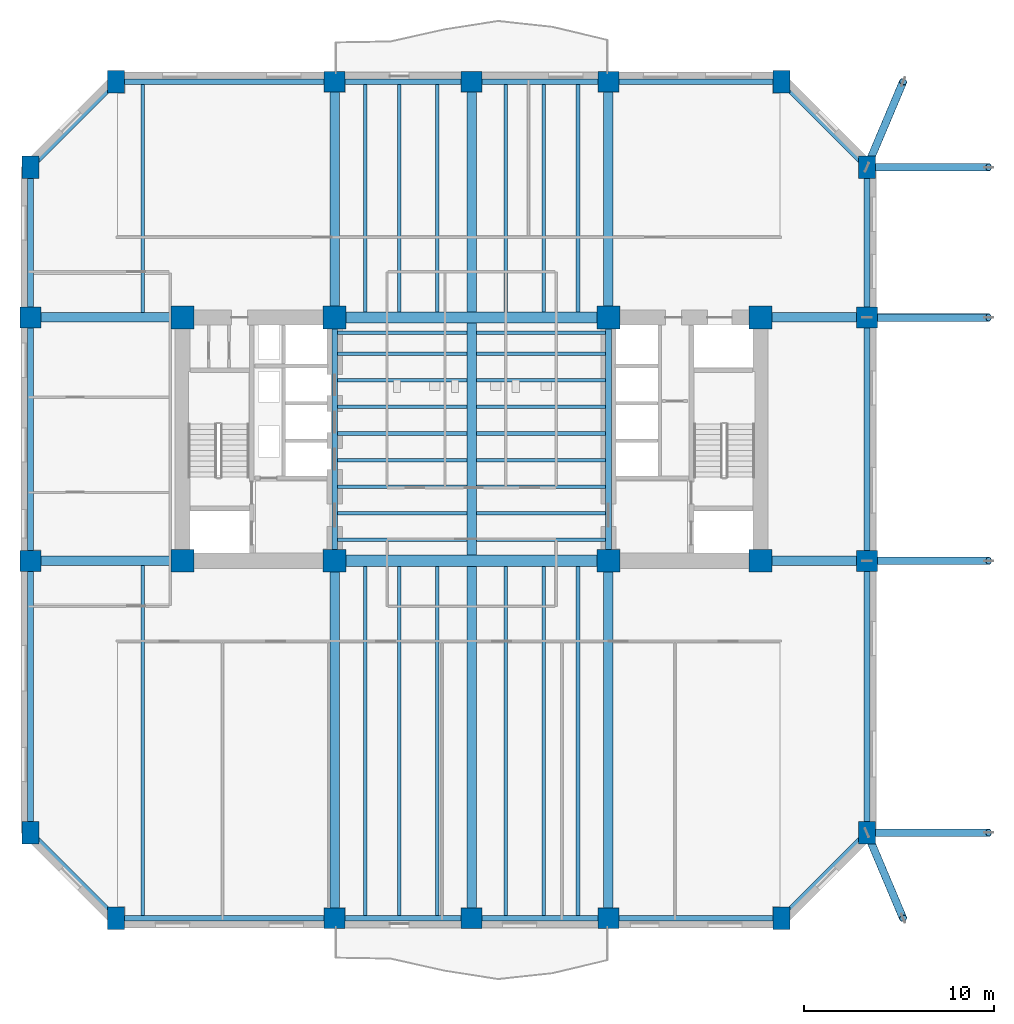
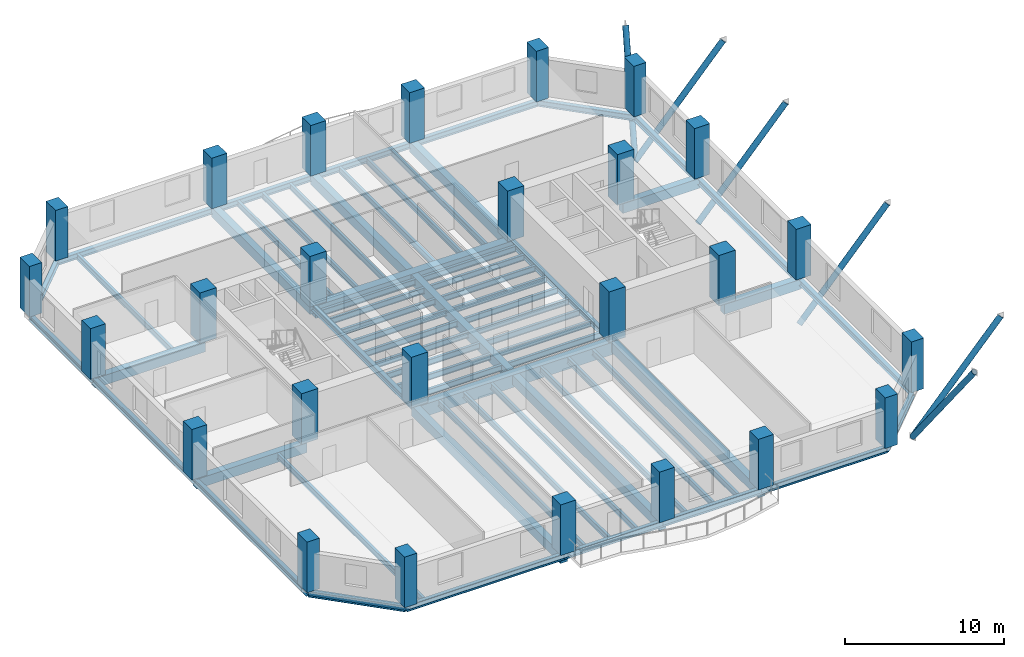
# One storey, part 1 of 13: 65 beams, 26 columns, 6 members.
"""IFC4 building model written with IfcOpenShell, lengths in metres."""

from ifc_helpers import new_model, si_unit, direction, frame, origin, origin_2d, place, context, subcontext, project, spatial, rectangle, hollow_circle, i_section, extrude, material, material_profile, profile_set, type_object, element, save


model = new_model("IFC4")

# Units and contexts
model_context = context("Model", 3, precision=1e-05, world=origin(), true_north=direction((0.0, 1.0)))
body_context = subcontext(model_context, "Body", "Model", "MODEL_VIEW")
ifc_project = project(units=[si_unit("LENGTHUNIT", "METRE"), si_unit("AREAUNIT", "SQUARE_METRE"), si_unit("VOLUMEUNIT", "CUBIC_METRE"), si_unit("PLANEANGLEUNIT", "RADIAN"), si_unit("MASSUNIT", "GRAM", prefix="KILO")], contexts=[model_context])

# Site, building, storey
site_placement = place(None, origin())
site = spatial("IfcSite", under=ifc_project, at=site_placement, CompositionType="ELEMENT")
building_placement = place(site_placement, origin())
building = spatial("IfcBuilding", under=site, at=building_placement, Name="Kranthara Brick Stack", CompositionType="ELEMENT")
storey_placement = place(building_placement, frame((0.0, 0.0, 43.800048828125)))
storey = spatial("IfcBuildingStorey", under=building, at=storey_placement, Name="L10", CompositionType="ELEMENT", Elevation=43.800048828125)

# Columns
ifc_material_1 = material(Name="Concrete C70/85", Category="concrete")
ifc_material_profile_1 = material_profile(ifc_material_1, rectangle(XDim=0.89990234375, YDim=1.199951171875, at=origin_2d()), Name="RC 900x1200")
ifc_profile_set_1 = profile_set([ifc_material_profile_1], Name="Concrete C70/85")
column_type_1 = type_object("IfcColumnType", Name="COL-CHAM-900x1200", PredefinedType="COLUMN", material=ifc_profile_set_1)
for number, where, z_axis, x_axis, name in (
    (1, (9.300048828125, 2.0, 0.0), (0.0, 0.0, 1.0), (1.0, 0.0, 0.0), "L10 Column 09"),
    (2, (9.300048828125, 46.0, 0.0), (0.0, 0.0, 1.0), (1.0, 0.0, 0.0), "L10 Column 10"),
    (3, (44.300048828125, 2.0, 0.0), (0.0, 0.0, 1.0), (1.0, 0.0, 0.0), "L10 Column 17"),
    (4, (44.300048828125, 46.0, 0.0), (0.0, 0.0, 1.0), (1.0, 0.0, 0.0), "L10 Column 18"),
    (5, (4.800048828125, 6.5, 0.0), (0.0, 0.0, 1.0), (1.0, 0.0, 0.0), "L10 Column 19"),
    (6, (48.800048828125, 6.5, 0.0), (0.0, 0.0, 1.0), (1.0, 0.0, 0.0), "L10 Column 20"),
    (7, (4.800048828125, 41.5, 0.0), (0.0, 0.0, 1.0), (1.0, 0.0, 0.0), "L10 Column 25"),
    (8, (48.800048828125, 41.5, 0.0), (0.0, 0.0, 1.0), (1.0, 0.0, 0.0), "L10 Column 26"),
):
    element("IfcColumn", number, at=place(storey_placement, frame(where, z_axis=z_axis, x_axis=x_axis)), inside=storey, type_object=column_type_1, Name=name, PredefinedType="COLUMN", context=body_context, shape_type="SweptSolid", body=[
        extrude(rectangle(XDim=0.89990234375, YDim=1.199951171875, at=origin_2d()), origin(), (0.0, 0.0, 1.0), 3.89990234375),
    ])
ifc_material_2 = material(Name="Concrete C70/85", Category="concrete")
ifc_material_profile_2 = material_profile(ifc_material_2, rectangle(XDim=1.199951171875, YDim=1.199951171875, at=origin_2d()), Name="RC 1200x1200")
ifc_profile_set_2 = profile_set([ifc_material_profile_2], Name="Concrete C70/85")
column_type_2 = type_object("IfcColumnType", Name="COL-CORE-1200", PredefinedType="COLUMN", material=ifc_profile_set_2)
for number, where, z_axis, x_axis, name in (
    (9, (12.800048828125, 20.800048828125, 0.0), (0.0, 0.0, 1.0), (1.0, 0.0, 0.0), "L10 Column 01"),
    (10, (20.800048828125, 20.800048828125, 0.0), (0.0, 0.0, 1.0), (1.0, 0.0, 0.0), "L10 Column 02"),
    (11, (12.800048828125, 33.60009765625, 0.0), (0.0, 0.0, 1.0), (1.0, 0.0, 0.0), "L10 Column 03"),
    (12, (20.800048828125, 33.60009765625, 0.0), (0.0, 0.0, 1.0), (1.0, 0.0, 0.0), "L10 Column 04"),
    (13, (35.199951171875, 20.800048828125, 0.0), (0.0, 0.0, 1.0), (1.0, 0.0, 0.0), "L10 Column 05"),
    (14, (43.199951171875, 20.800048828125, 0.0), (0.0, 0.0, 1.0), (1.0, 0.0, 0.0), "L10 Column 06"),
    (15, (35.199951171875, 33.60009765625, 0.0), (0.0, 0.0, 1.0), (1.0, 0.0, 0.0), "L10 Column 07"),
    (16, (43.199951171875, 33.60009765625, 0.0), (0.0, 0.0, 1.0), (1.0, 0.0, 0.0), "L10 Column 08"),
):
    element("IfcColumn", number, at=place(storey_placement, frame(where, z_axis=z_axis, x_axis=x_axis)), inside=storey, type_object=column_type_2, Name=name, PredefinedType="COLUMN", context=body_context, shape_type="SweptSolid", body=[
        extrude(rectangle(XDim=1.199951171875, YDim=1.199951171875, at=origin_2d()), origin(), (0.0, 0.0, 1.0), 3.89990234375),
    ])
ifc_material_3 = material(Name="Concrete C70/85", Category="concrete")
ifc_material_profile_3 = material_profile(ifc_material_3, rectangle(XDim=1.10009765625, YDim=1.10009765625, at=origin_2d()), Name="RC 1100x1100")
ifc_profile_set_3 = profile_set([ifc_material_profile_3], Name="Concrete C70/85")
column_type_3 = type_object("IfcColumnType", Name="COL-PER-1100", PredefinedType="COLUMN", material=ifc_profile_set_3)
for number, where, z_axis, x_axis, name in (
    (17, (20.800048828125, 2.0, 0.0), (0.0, 0.0, 1.0), (1.0, 0.0, 0.0), "L10 Column 11"),
    (18, (20.800048828125, 46.0, 0.0), (0.0, 0.0, 1.0), (1.0, 0.0, 0.0), "L10 Column 12"),
    (19, (28.0, 2.0, 0.0), (0.0, 0.0, 1.0), (1.0, 0.0, 0.0), "L10 Column 13"),
    (20, (28.0, 46.0, 0.0), (0.0, 0.0, 1.0), (1.0, 0.0, 0.0), "L10 Column 14"),
    (21, (35.199951171875, 2.0, 0.0), (0.0, 0.0, 1.0), (1.0, 0.0, 0.0), "L10 Column 15"),
    (22, (35.199951171875, 46.0, 0.0), (0.0, 0.0, 1.0), (1.0, 0.0, 0.0), "L10 Column 16"),
    (23, (4.800048828125, 20.800048828125, 0.0), (0.0, 0.0, 1.0), (1.0, 0.0, 0.0), "L10 Column 21"),
    (24, (48.800048828125, 20.800048828125, 0.0), (0.0, 0.0, 1.0), (1.0, 0.0, 0.0), "L10 Column 22"),
    (25, (4.800048828125, 33.60009765625, 0.0), (0.0, 0.0, 1.0), (1.0, 0.0, 0.0), "L10 Column 23"),
    (26, (48.800048828125, 33.60009765625, 0.0), (0.0, 0.0, 1.0), (1.0, 0.0, 0.0), "L10 Column 24"),
):
    element("IfcColumn", number, at=place(storey_placement, frame(where, z_axis=z_axis, x_axis=x_axis)), inside=storey, type_object=column_type_3, Name=name, PredefinedType="COLUMN", context=body_context, shape_type="SweptSolid", body=[
        extrude(rectangle(XDim=1.10009765625, YDim=1.10009765625, at=origin_2d()), origin(), (0.0, 0.0, 1.0), 3.89990234375),
    ])

# Beams
ifc_material_4 = material(Name="Concrete C60/75", Category="concrete")
ifc_material_profile_4 = material_profile(ifc_material_4, rectangle(XDim=0.60009765625, YDim=0.949951171875, at=origin_2d()), Name="RC 600x950")
ifc_profile_set_4 = profile_set([ifc_material_profile_4], Name="Concrete C60/75")
beam_type_1 = type_object("IfcBeamType", Name="BM-CPL-RC950", PredefinedType="LINTEL", material=ifc_profile_set_4)
for number, where, z_axis, x_axis, name in (
    (27, (20.800048828125, 20.800048828125, -0.775146484375), (1.0, 0.0, 0.0), (0.0, 1.0, 0.0), "L10 Core Coupling Beam 001"),
    (28, (20.800048828125, 33.60009765625, -0.775146484375), (1.0, 0.0, 0.0), (0.0, 1.0, 0.0), "L10 Core Coupling Beam 002"),
):
    element("IfcBeam", number, at=place(storey_placement, frame(where, z_axis=z_axis, x_axis=x_axis)), inside=storey, type_object=beam_type_1, Name=name, PredefinedType="LINTEL", context=body_context, shape_type="SweptSolid", body=[
        extrude(rectangle(XDim=0.60009765625, YDim=0.949951171875, at=origin_2d()), origin(), (0.0, 0.0, 1.0), 14.39990234375),
    ])
ifc_material_5 = material(Name="Post-tensioned concrete C45/55", Category="concrete")
ifc_material_profile_5 = material_profile(ifc_material_5, rectangle(XDim=0.5, YDim=0.75, at=origin_2d()), Name="PT 500x750")
ifc_profile_set_5 = profile_set([ifc_material_profile_5], Name="Post-tensioned concrete C45/55")
beam_type_2 = type_object("IfcBeamType", Name="BM-FLR-PT750", PredefinedType="BEAM", material=ifc_profile_set_5)
beam_1_placement = place(storey_placement, frame((20.800048828125, 2.0, -0.675048828125), z_axis=(0.0, 1.0, 0.0), x_axis=(-1.0, 0.0, 0.0)))
element("IfcBeam", 29, at=beam_1_placement, inside=storey, type_object=beam_type_2, Name="L10 Primary Grid Girder 023", PredefinedType="BEAM", context=body_context, shape_type="SweptSolid", body=[
    extrude(rectangle(XDim=0.5, YDim=0.75, at=origin_2d()), origin(), (0.0, 0.0, 1.0), 18.800048828125),
])
beam_2_placement = place(storey_placement, frame((20.800048828125, 33.60009765625, -0.675048828125), z_axis=(0.0, 1.0, 0.0), x_axis=(-1.0, 0.0, 0.0)))
element("IfcBeam", 30, at=beam_2_placement, inside=storey, type_object=beam_type_2, Name="L10 Primary Grid Girder 024", PredefinedType="BEAM", context=body_context, shape_type="SweptSolid", body=[
    extrude(rectangle(XDim=0.5, YDim=0.75, at=origin_2d()), origin(), (0.0, 0.0, 1.0), 12.39990234375),
])
beam_3_placement = place(storey_placement, frame((28.0, 2.0, -0.675048828125), z_axis=(0.0, 1.0, 0.0), x_axis=(-1.0, 0.0, 0.0)))
element("IfcBeam", 31, at=beam_3_placement, inside=storey, type_object=beam_type_2, Name="L10 Primary Grid Girder 025", PredefinedType="BEAM", context=body_context, shape_type="SweptSolid", body=[
    extrude(rectangle(XDim=0.5, YDim=0.75, at=origin_2d()), origin(), (0.0, 0.0, 1.0), 18.5),
])
beam_4_placement = place(storey_placement, frame((28.0, 21.10009765625, -0.675048828125), z_axis=(0.0, 1.0, 0.0), x_axis=(-1.0, 0.0, 0.0)))
element("IfcBeam", 32, at=beam_4_placement, inside=storey, type_object=beam_type_2, Name="L10 Central Spine Girder 026", PredefinedType="BEAM", context=body_context, shape_type="SweptSolid", body=[
    extrude(rectangle(XDim=0.5, YDim=0.75, at=origin_2d()), origin(), (0.0, 0.0, 1.0), 12.199951171875),
])
beam_5_placement = place(storey_placement, frame((28.0, 33.89990234375, -0.675048828125), z_axis=(0.0, 1.0, 0.0), x_axis=(-1.0, 0.0, 0.0)))
element("IfcBeam", 33, at=beam_5_placement, inside=storey, type_object=beam_type_2, Name="L10 Primary Grid Girder 027", PredefinedType="BEAM", context=body_context, shape_type="SweptSolid", body=[
    extrude(rectangle(XDim=0.5, YDim=0.75, at=origin_2d()), origin(), (0.0, 0.0, 1.0), 12.10009765625),
])
beam_6_placement = place(storey_placement, frame((35.199951171875, 2.0, -0.675048828125), z_axis=(0.0, 1.0, 0.0), x_axis=(-1.0, 0.0, 0.0)))
element("IfcBeam", 34, at=beam_6_placement, inside=storey, type_object=beam_type_2, Name="L10 Primary Grid Girder 028", PredefinedType="BEAM", context=body_context, shape_type="SweptSolid", body=[
    extrude(rectangle(XDim=0.5, YDim=0.75, at=origin_2d()), origin(), (0.0, 0.0, 1.0), 18.800048828125),
])
beam_7_placement = place(storey_placement, frame((35.199951171875, 33.60009765625, -0.675048828125), z_axis=(0.0, 1.0, 0.0), x_axis=(-1.0, 0.0, 0.0)))
element("IfcBeam", 35, at=beam_7_placement, inside=storey, type_object=beam_type_2, Name="L10 Primary Grid Girder 029", PredefinedType="BEAM", context=body_context, shape_type="SweptSolid", body=[
    extrude(rectangle(XDim=0.5, YDim=0.75, at=origin_2d()), origin(), (0.0, 0.0, 1.0), 12.39990234375),
])
beam_8_placement = place(storey_placement, frame((4.800048828125, 20.800048828125, -0.675048828125), z_axis=(1.0, 0.0, 0.0), x_axis=(0.0, 1.0, 0.0)))
element("IfcBeam", 36, at=beam_8_placement, inside=storey, type_object=beam_type_2, Name="L10 Primary Grid Girder 030", PredefinedType="BEAM", context=body_context, shape_type="SweptSolid", body=[
    extrude(rectangle(XDim=0.5, YDim=0.75, at=origin_2d()), origin(), (0.0, 0.0, 1.0), 8.0),
])
beam_9_placement = place(storey_placement, frame((43.199951171875, 20.800048828125, -0.675048828125), z_axis=(1.0, 0.0, 0.0), x_axis=(0.0, 1.0, 0.0)))
element("IfcBeam", 37, at=beam_9_placement, inside=storey, type_object=beam_type_2, Name="L10 Primary Grid Girder 031", PredefinedType="BEAM", context=body_context, shape_type="SweptSolid", body=[
    extrude(rectangle(XDim=0.5, YDim=0.75, at=origin_2d()), origin(), (0.0, 0.0, 1.0), 5.60009765625),
])
beam_10_placement = place(storey_placement, frame((4.800048828125, 33.60009765625, -0.675048828125), z_axis=(1.0, 0.0, 0.0), x_axis=(0.0, 1.0, 0.0)))
element("IfcBeam", 38, at=beam_10_placement, inside=storey, type_object=beam_type_2, Name="L10 Primary Grid Girder 032", PredefinedType="BEAM", context=body_context, shape_type="SweptSolid", body=[
    extrude(rectangle(XDim=0.5, YDim=0.75, at=origin_2d()), origin(), (0.0, 0.0, 1.0), 8.0),
])
beam_11_placement = place(storey_placement, frame((43.199951171875, 33.60009765625, -0.675048828125), z_axis=(1.0, 0.0, 0.0), x_axis=(0.0, 1.0, 0.0)))
element("IfcBeam", 39, at=beam_11_placement, inside=storey, type_object=beam_type_2, Name="L10 Primary Grid Girder 033", PredefinedType="BEAM", context=body_context, shape_type="SweptSolid", body=[
    extrude(rectangle(XDim=0.5, YDim=0.75, at=origin_2d()), origin(), (0.0, 0.0, 1.0), 5.60009765625),
])
ifc_material_6 = material(Name="Steel S355", Category="steel")
ifc_material_profile_6 = material_profile(ifc_material_6, i_section(OverallWidth=0.18994140625, OverallDepth=0.449951171875, WebThickness=0.009521484375, FlangeThickness=0.0146484375, at=origin_2d()), Name="IPE 450")
ifc_profile_set_6 = profile_set([ifc_material_profile_6], Name="Steel S355")
beam_type_3 = type_object("IfcBeamType", Name="BM-JST-IPE450", PredefinedType="JOIST", material=ifc_profile_set_6)
for number, where, z_axis, x_axis, name in (
    (40, (20.949951171875, 21.89990234375, -0.525146484375), (1.0, 0.0, 0.0), (0.0, 1.0, 0.0), "L10 Central Floor Joist 034"),
    (41, (28.25, 21.89990234375, -0.525146484375), (1.0, 0.0, 0.0), (0.0, 1.0, 0.0), "L10 Central Floor Joist 035"),
    (42, (20.949951171875, 23.300048828125, -0.525146484375), (1.0, 0.0, 0.0), (0.0, 1.0, 0.0), "L10 Central Floor Joist 036"),
    (43, (28.25, 23.300048828125, -0.525146484375), (1.0, 0.0, 0.0), (0.0, 1.0, 0.0), "L10 Central Floor Joist 037"),
    (44, (20.949951171875, 24.699951171875, -0.525146484375), (1.0, 0.0, 0.0), (0.0, 1.0, 0.0), "L10 Central Floor Joist 038"),
    (45, (28.25, 24.699951171875, -0.525146484375), (1.0, 0.0, 0.0), (0.0, 1.0, 0.0), "L10 Central Floor Joist 039"),
    (46, (20.949951171875, 26.10009765625, -0.525146484375), (1.0, 0.0, 0.0), (0.0, 1.0, 0.0), "L10 Central Floor Joist 040"),
    (47, (28.25, 26.10009765625, -0.525146484375), (1.0, 0.0, 0.0), (0.0, 1.0, 0.0), "L10 Central Floor Joist 041"),
    (48, (20.949951171875, 27.5, -0.525146484375), (1.0, 0.0, 0.0), (0.0, 1.0, 0.0), "L10 Central Floor Joist 042"),
    (49, (28.25, 27.5, -0.525146484375), (1.0, 0.0, 0.0), (0.0, 1.0, 0.0), "L10 Central Floor Joist 043"),
    (50, (20.949951171875, 28.89990234375, -0.525146484375), (1.0, 0.0, 0.0), (0.0, 1.0, 0.0), "L10 Central Floor Joist 044"),
    (51, (28.25, 28.89990234375, -0.525146484375), (1.0, 0.0, 0.0), (0.0, 1.0, 0.0), "L10 Central Floor Joist 045"),
    (52, (20.949951171875, 30.300048828125, -0.525146484375), (1.0, 0.0, 0.0), (0.0, 1.0, 0.0), "L10 Central Floor Joist 046"),
    (53, (28.25, 30.300048828125, -0.525146484375), (1.0, 0.0, 0.0), (0.0, 1.0, 0.0), "L10 Central Floor Joist 047"),
    (54, (20.949951171875, 31.699951171875, -0.525146484375), (1.0, 0.0, 0.0), (0.0, 1.0, 0.0), "L10 Central Floor Joist 048"),
    (55, (28.25, 31.699951171875, -0.525146484375), (1.0, 0.0, 0.0), (0.0, 1.0, 0.0), "L10 Central Floor Joist 049"),
    (56, (20.949951171875, 32.800048828125, -0.525146484375), (1.0, 0.0, 0.0), (0.0, 1.0, 0.0), "L10 Central Floor Joist 050"),
    (57, (28.25, 32.800048828125, -0.525146484375), (1.0, 0.0, 0.0), (0.0, 1.0, 0.0), "L10 Central Floor Joist 051"),
):
    element("IfcBeam", number, at=place(storey_placement, frame(where, z_axis=z_axis, x_axis=x_axis)), inside=storey, type_object=beam_type_3, Name=name, PredefinedType="JOIST", context=body_context, shape_type="SweptSolid", body=[
        extrude(i_section(OverallWidth=0.18994140625, OverallDepth=0.449951171875, WebThickness=0.009521484375, FlangeThickness=0.0146484375, at=origin_2d()), origin(), (0.0, 0.0, 1.0), 6.800048828125),
    ])
beam_12_placement = place(storey_placement, frame((10.699951171875, 2.14990234375, -0.525146484375), z_axis=(0.0, 1.0, 0.0), x_axis=(-1.0, 0.0, 0.0)))
element("IfcBeam", 58, at=beam_12_placement, inside=storey, type_object=beam_type_3, Name="L10 South Wing Floor Joist 052", PredefinedType="JOIST", context=body_context, shape_type="SweptSolid", body=[
    extrude(i_section(OverallWidth=0.18994140625, OverallDepth=0.449951171875, WebThickness=0.009521484375, FlangeThickness=0.0146484375, at=origin_2d()), origin(), (0.0, 0.0, 1.0), 18.400146484375),
])
beam_13_placement = place(storey_placement, frame((10.699951171875, 33.85009765625, -0.525146484375), z_axis=(0.0, 1.0, 0.0), x_axis=(-1.0, 0.0, 0.0)))
element("IfcBeam", 59, at=beam_13_placement, inside=storey, type_object=beam_type_3, Name="L10 North Wing Floor Joist 053", PredefinedType="JOIST", context=body_context, shape_type="SweptSolid", body=[
    extrude(i_section(OverallWidth=0.18994140625, OverallDepth=0.449951171875, WebThickness=0.009521484375, FlangeThickness=0.0146484375, at=origin_2d()), origin(), (0.0, 0.0, 1.0), 12.0),
])
beam_14_placement = place(storey_placement, frame((22.39990234375, 2.14990234375, -0.525146484375), z_axis=(0.0, 1.0, 0.0), x_axis=(-1.0, 0.0, 0.0)))
element("IfcBeam", 60, at=beam_14_placement, inside=storey, type_object=beam_type_3, Name="L10 South Wing Floor Joist 054", PredefinedType="JOIST", context=body_context, shape_type="SweptSolid", body=[
    extrude(i_section(OverallWidth=0.18994140625, OverallDepth=0.449951171875, WebThickness=0.009521484375, FlangeThickness=0.0146484375, at=origin_2d()), origin(), (0.0, 0.0, 1.0), 18.35009765625),
])
beam_15_placement = place(storey_placement, frame((22.39990234375, 33.89990234375, -0.525146484375), z_axis=(0.0, 1.0, 0.0), x_axis=(-1.0, 0.0, 0.0)))
element("IfcBeam", 61, at=beam_15_placement, inside=storey, type_object=beam_type_3, Name="L10 North Wing Floor Joist 055", PredefinedType="JOIST", context=body_context, shape_type="SweptSolid", body=[
    extrude(i_section(OverallWidth=0.18994140625, OverallDepth=0.449951171875, WebThickness=0.009521484375, FlangeThickness=0.0146484375, at=origin_2d()), origin(), (0.0, 0.0, 1.0), 11.9501953125),
])
beam_16_placement = place(storey_placement, frame((24.199951171875, 2.14990234375, -0.525146484375), z_axis=(0.0, 1.0, 0.0), x_axis=(-1.0, 0.0, 0.0)))
element("IfcBeam", 62, at=beam_16_placement, inside=storey, type_object=beam_type_3, Name="L10 South Wing Floor Joist 056", PredefinedType="JOIST", context=body_context, shape_type="SweptSolid", body=[
    extrude(i_section(OverallWidth=0.18994140625, OverallDepth=0.449951171875, WebThickness=0.009521484375, FlangeThickness=0.0146484375, at=origin_2d()), origin(), (0.0, 0.0, 1.0), 18.35009765625),
])
beam_17_placement = place(storey_placement, frame((24.199951171875, 33.89990234375, -0.525146484375), z_axis=(0.0, 1.0, 0.0), x_axis=(-1.0, 0.0, 0.0)))
element("IfcBeam", 63, at=beam_17_placement, inside=storey, type_object=beam_type_3, Name="L10 North Wing Floor Joist 057", PredefinedType="JOIST", context=body_context, shape_type="SweptSolid", body=[
    extrude(i_section(OverallWidth=0.18994140625, OverallDepth=0.449951171875, WebThickness=0.009521484375, FlangeThickness=0.0146484375, at=origin_2d()), origin(), (0.0, 0.0, 1.0), 11.9501953125),
])
beam_18_placement = place(storey_placement, frame((26.199951171875, 2.14990234375, -0.525146484375), z_axis=(0.0, 1.0, 0.0), x_axis=(-1.0, 0.0, 0.0)))
element("IfcBeam", 64, at=beam_18_placement, inside=storey, type_object=beam_type_3, Name="L10 South Wing Floor Joist 058", PredefinedType="JOIST", context=body_context, shape_type="SweptSolid", body=[
    extrude(i_section(OverallWidth=0.18994140625, OverallDepth=0.449951171875, WebThickness=0.009521484375, FlangeThickness=0.0146484375, at=origin_2d()), origin(), (0.0, 0.0, 1.0), 18.35009765625),
])
beam_19_placement = place(storey_placement, frame((26.199951171875, 33.89990234375, -0.525146484375), z_axis=(0.0, 1.0, 0.0), x_axis=(-1.0, 0.0, 0.0)))
element("IfcBeam", 65, at=beam_19_placement, inside=storey, type_object=beam_type_3, Name="L10 North Wing Floor Joist 059", PredefinedType="JOIST", context=body_context, shape_type="SweptSolid", body=[
    extrude(i_section(OverallWidth=0.18994140625, OverallDepth=0.449951171875, WebThickness=0.009521484375, FlangeThickness=0.0146484375, at=origin_2d()), origin(), (0.0, 0.0, 1.0), 11.9501953125),
])
beam_20_placement = place(storey_placement, frame((29.800048828125, 2.14990234375, -0.525146484375), z_axis=(0.0, 1.0, 0.0), x_axis=(-1.0, 0.0, 0.0)))
element("IfcBeam", 66, at=beam_20_placement, inside=storey, type_object=beam_type_3, Name="L10 South Wing Floor Joist 060", PredefinedType="JOIST", context=body_context, shape_type="SweptSolid", body=[
    extrude(i_section(OverallWidth=0.18994140625, OverallDepth=0.449951171875, WebThickness=0.009521484375, FlangeThickness=0.0146484375, at=origin_2d()), origin(), (0.0, 0.0, 1.0), 18.35009765625),
])
beam_21_placement = place(storey_placement, frame((29.800048828125, 33.89990234375, -0.525146484375), z_axis=(0.0, 1.0, 0.0), x_axis=(-1.0, 0.0, 0.0)))
element("IfcBeam", 67, at=beam_21_placement, inside=storey, type_object=beam_type_3, Name="L10 North Wing Floor Joist 061", PredefinedType="JOIST", context=body_context, shape_type="SweptSolid", body=[
    extrude(i_section(OverallWidth=0.18994140625, OverallDepth=0.449951171875, WebThickness=0.009521484375, FlangeThickness=0.0146484375, at=origin_2d()), origin(), (0.0, 0.0, 1.0), 11.9501953125),
])
beam_22_placement = place(storey_placement, frame((31.800048828125, 2.14990234375, -0.525146484375), z_axis=(0.0, 1.0, 0.0), x_axis=(-1.0, 0.0, 0.0)))
element("IfcBeam", 68, at=beam_22_placement, inside=storey, type_object=beam_type_3, Name="L10 South Wing Floor Joist 062", PredefinedType="JOIST", context=body_context, shape_type="SweptSolid", body=[
    extrude(i_section(OverallWidth=0.18994140625, OverallDepth=0.449951171875, WebThickness=0.009521484375, FlangeThickness=0.0146484375, at=origin_2d()), origin(), (0.0, 0.0, 1.0), 18.35009765625),
])
beam_23_placement = place(storey_placement, frame((31.800048828125, 33.89990234375, -0.525146484375), z_axis=(0.0, 1.0, 0.0), x_axis=(-1.0, 0.0, 0.0)))
element("IfcBeam", 69, at=beam_23_placement, inside=storey, type_object=beam_type_3, Name="L10 North Wing Floor Joist 063", PredefinedType="JOIST", context=body_context, shape_type="SweptSolid", body=[
    extrude(i_section(OverallWidth=0.18994140625, OverallDepth=0.449951171875, WebThickness=0.009521484375, FlangeThickness=0.0146484375, at=origin_2d()), origin(), (0.0, 0.0, 1.0), 11.9501953125),
])
beam_24_placement = place(storey_placement, frame((33.60009765625, 2.14990234375, -0.525146484375), z_axis=(0.0, 1.0, 0.0), x_axis=(-1.0, 0.0, 0.0)))
element("IfcBeam", 70, at=beam_24_placement, inside=storey, type_object=beam_type_3, Name="L10 South Wing Floor Joist 064", PredefinedType="JOIST", context=body_context, shape_type="SweptSolid", body=[
    extrude(i_section(OverallWidth=0.18994140625, OverallDepth=0.449951171875, WebThickness=0.009521484375, FlangeThickness=0.0146484375, at=origin_2d()), origin(), (0.0, 0.0, 1.0), 18.35009765625),
])
beam_25_placement = place(storey_placement, frame((33.60009765625, 33.89990234375, -0.525146484375), z_axis=(0.0, 1.0, 0.0), x_axis=(-1.0, 0.0, 0.0)))
element("IfcBeam", 71, at=beam_25_placement, inside=storey, type_object=beam_type_3, Name="L10 North Wing Floor Joist 065", PredefinedType="JOIST", context=body_context, shape_type="SweptSolid", body=[
    extrude(i_section(OverallWidth=0.18994140625, OverallDepth=0.449951171875, WebThickness=0.009521484375, FlangeThickness=0.0146484375, at=origin_2d()), origin(), (0.0, 0.0, 1.0), 11.9501953125),
])
ifc_material_7 = material(Name="Steel S355", Category="steel")
ifc_material_profile_7 = material_profile(ifc_material_7, i_section(OverallWidth=0.300048828125, OverallDepth=0.449951171875, WebThickness=0.013916015625, FlangeThickness=0.02587890625, at=origin_2d()), Name="HEB 450")
ifc_profile_set_7 = profile_set([ifc_material_profile_7], Name="Steel S355")
beam_type_4 = type_object("IfcBeamType", Name="BM-STL-HEB450", PredefinedType="SPANDREL", material=ifc_profile_set_7)
for number, where, z_axis, x_axis, name in (
    (72, (20.800048828125, 20.800048828125, -0.525146484375), (0.0, 1.0, 0.0), (-1.0, 0.0, 0.0), "L10 Core Edge Tie Beam 003"),
    (73, (35.199951171875, 20.800048828125, -0.525146484375), (0.0, 1.0, 0.0), (-1.0, 0.0, 0.0), "L10 Core Edge Tie Beam 004"),
):
    element("IfcBeam", number, at=place(storey_placement, frame(where, z_axis=z_axis, x_axis=x_axis)), inside=storey, type_object=beam_type_4, Name=name, PredefinedType="SPANDREL", context=body_context, shape_type="SweptSolid", body=[
        extrude(i_section(OverallWidth=0.300048828125, OverallDepth=0.449951171875, WebThickness=0.013916015625, FlangeThickness=0.02587890625, at=origin_2d()), origin(), (0.0, 0.0, 1.0), 12.800048828125),
    ])
beam_26_placement = place(storey_placement, frame((9.300048828125, 2.0, -0.525146484375), z_axis=(1.0, 0.0, 0.0), x_axis=(0.0, 1.0, 0.0)))
element("IfcBeam", 74, at=beam_26_placement, inside=storey, type_object=beam_type_4, Name="L10 Perimeter Spandrel Beam 005", PredefinedType="SPANDREL", context=body_context, shape_type="SweptSolid", body=[
    extrude(i_section(OverallWidth=0.300048828125, OverallDepth=0.449951171875, WebThickness=0.013916015625, FlangeThickness=0.02587890625, at=origin_2d()), origin(), (0.0, 0.0, 1.0), 11.5),
])
for number, where, z_axis, x_axis, name in (
    (75, (20.800048828125, 2.0, -0.525146484375), (1.0, 0.0, 0.0), (0.0, 1.0, 0.0), "L10 Perimeter Spandrel Beam 006"),
    (76, (28.0, 2.0, -0.525146484375), (1.0, 0.0, 0.0), (0.0, 1.0, 0.0), "L10 Perimeter Spandrel Beam 007"),
):
    element("IfcBeam", number, at=place(storey_placement, frame(where, z_axis=z_axis, x_axis=x_axis)), inside=storey, type_object=beam_type_4, Name=name, PredefinedType="SPANDREL", context=body_context, shape_type="SweptSolid", body=[
        extrude(i_section(OverallWidth=0.300048828125, OverallDepth=0.449951171875, WebThickness=0.013916015625, FlangeThickness=0.02587890625, at=origin_2d()), origin(), (0.0, 0.0, 1.0), 7.199951171875),
    ])
beam_27_placement = place(storey_placement, frame((35.199951171875, 2.0, -0.525146484375), z_axis=(1.0, 0.0, 0.0), x_axis=(0.0, 1.0, 0.0)))
element("IfcBeam", 77, at=beam_27_placement, inside=storey, type_object=beam_type_4, Name="L10 Perimeter Spandrel Beam 008", PredefinedType="SPANDREL", context=body_context, shape_type="SweptSolid", body=[
    extrude(i_section(OverallWidth=0.300048828125, OverallDepth=0.449951171875, WebThickness=0.013916015625, FlangeThickness=0.02587890625, at=origin_2d()), origin(), (0.0, 0.0, 1.0), 9.10009765625),
])
beam_28_placement = place(storey_placement, frame((9.300048828125, 46.0, -0.525146484375), z_axis=(1.0, 0.0, 0.0), x_axis=(0.0, 1.0, 0.0)))
element("IfcBeam", 78, at=beam_28_placement, inside=storey, type_object=beam_type_4, Name="L10 Perimeter Spandrel Beam 009", PredefinedType="SPANDREL", context=body_context, shape_type="SweptSolid", body=[
    extrude(i_section(OverallWidth=0.300048828125, OverallDepth=0.449951171875, WebThickness=0.013916015625, FlangeThickness=0.02587890625, at=origin_2d()), origin(), (0.0, 0.0, 1.0), 11.5),
])
for number, where, z_axis, x_axis, name in (
    (79, (20.800048828125, 46.0, -0.525146484375), (1.0, 0.0, 0.0), (0.0, 1.0, 0.0), "L10 Perimeter Spandrel Beam 010"),
    (80, (28.0, 46.0, -0.525146484375), (1.0, 0.0, 0.0), (0.0, 1.0, 0.0), "L10 Perimeter Spandrel Beam 011"),
):
    element("IfcBeam", number, at=place(storey_placement, frame(where, z_axis=z_axis, x_axis=x_axis)), inside=storey, type_object=beam_type_4, Name=name, PredefinedType="SPANDREL", context=body_context, shape_type="SweptSolid", body=[
        extrude(i_section(OverallWidth=0.300048828125, OverallDepth=0.449951171875, WebThickness=0.013916015625, FlangeThickness=0.02587890625, at=origin_2d()), origin(), (0.0, 0.0, 1.0), 7.199951171875),
    ])
beam_29_placement = place(storey_placement, frame((35.199951171875, 46.0, -0.525146484375), z_axis=(1.0, 0.0, 0.0), x_axis=(0.0, 1.0, 0.0)))
element("IfcBeam", 81, at=beam_29_placement, inside=storey, type_object=beam_type_4, Name="L10 Perimeter Spandrel Beam 012", PredefinedType="SPANDREL", context=body_context, shape_type="SweptSolid", body=[
    extrude(i_section(OverallWidth=0.300048828125, OverallDepth=0.449951171875, WebThickness=0.013916015625, FlangeThickness=0.02587890625, at=origin_2d()), origin(), (0.0, 0.0, 1.0), 9.10009765625),
])
beam_30_placement = place(storey_placement, frame((4.800048828125, 6.5, -0.525146484375), z_axis=(0.0, 1.0, 0.0), x_axis=(-1.0, 0.0, 0.0)))
element("IfcBeam", 82, at=beam_30_placement, inside=storey, type_object=beam_type_4, Name="L10 Perimeter Spandrel Beam 013", PredefinedType="SPANDREL", context=body_context, shape_type="SweptSolid", body=[
    extrude(i_section(OverallWidth=0.300048828125, OverallDepth=0.449951171875, WebThickness=0.013916015625, FlangeThickness=0.02587890625, at=origin_2d()), origin(), (0.0, 0.0, 1.0), 14.300048828125),
])
beam_31_placement = place(storey_placement, frame((4.800048828125, 20.800048828125, -0.525146484375), z_axis=(0.0, 1.0, 0.0), x_axis=(-1.0, 0.0, 0.0)))
element("IfcBeam", 83, at=beam_31_placement, inside=storey, type_object=beam_type_4, Name="L10 Perimeter Spandrel Beam 014", PredefinedType="SPANDREL", context=body_context, shape_type="SweptSolid", body=[
    extrude(i_section(OverallWidth=0.300048828125, OverallDepth=0.449951171875, WebThickness=0.013916015625, FlangeThickness=0.02587890625, at=origin_2d()), origin(), (0.0, 0.0, 1.0), 12.800048828125),
])
beam_32_placement = place(storey_placement, frame((4.800048828125, 33.60009765625, -0.525146484375), z_axis=(0.0, 1.0, 0.0), x_axis=(-1.0, 0.0, 0.0)))
element("IfcBeam", 84, at=beam_32_placement, inside=storey, type_object=beam_type_4, Name="L10 Perimeter Spandrel Beam 015", PredefinedType="SPANDREL", context=body_context, shape_type="SweptSolid", body=[
    extrude(i_section(OverallWidth=0.300048828125, OverallDepth=0.449951171875, WebThickness=0.013916015625, FlangeThickness=0.02587890625, at=origin_2d()), origin(), (0.0, 0.0, 1.0), 7.89990234375),
])
beam_33_placement = place(storey_placement, frame((48.800048828125, 6.5, -0.525146484375), z_axis=(0.0, 1.0, 0.0), x_axis=(-1.0, 0.0, 0.0)))
element("IfcBeam", 85, at=beam_33_placement, inside=storey, type_object=beam_type_4, Name="L10 Perimeter Spandrel Beam 016", PredefinedType="SPANDREL", context=body_context, shape_type="SweptSolid", body=[
    extrude(i_section(OverallWidth=0.300048828125, OverallDepth=0.449951171875, WebThickness=0.013916015625, FlangeThickness=0.02587890625, at=origin_2d()), origin(), (0.0, 0.0, 1.0), 14.300048828125),
])
beam_34_placement = place(storey_placement, frame((48.800048828125, 20.800048828125, -0.525146484375), z_axis=(0.0, 1.0, 0.0), x_axis=(-1.0, 0.0, 0.0)))
element("IfcBeam", 86, at=beam_34_placement, inside=storey, type_object=beam_type_4, Name="L10 Perimeter Spandrel Beam 017", PredefinedType="SPANDREL", context=body_context, shape_type="SweptSolid", body=[
    extrude(i_section(OverallWidth=0.300048828125, OverallDepth=0.449951171875, WebThickness=0.013916015625, FlangeThickness=0.02587890625, at=origin_2d()), origin(), (0.0, 0.0, 1.0), 12.800048828125),
])
beam_35_placement = place(storey_placement, frame((48.800048828125, 33.60009765625, -0.525146484375), z_axis=(0.0, 1.0, 0.0), x_axis=(-1.0, 0.0, 0.0)))
element("IfcBeam", 87, at=beam_35_placement, inside=storey, type_object=beam_type_4, Name="L10 Perimeter Spandrel Beam 018", PredefinedType="SPANDREL", context=body_context, shape_type="SweptSolid", body=[
    extrude(i_section(OverallWidth=0.300048828125, OverallDepth=0.449951171875, WebThickness=0.013916015625, FlangeThickness=0.02587890625, at=origin_2d()), origin(), (0.0, 0.0, 1.0), 7.89990234375),
])
for number, where, z_axis, x_axis, name in (
    (88, (9.300048828125, 2.0, -0.525146484375), (-0.707106781187, 0.707106781187, 0.0), (-0.707106781187, -0.707106781187, 0.0), "L10 Chamfer Corner Spandrel 019"),
    (89, (44.300048828125, 2.0, -0.525146484375), (0.707106781187, 0.707106781187, 0.0), (-0.707106781187, 0.707106781187, 0.0), "L10 Chamfer Corner Spandrel 020"),
    (90, (9.300048828125, 46.0, -0.525146484375), (-0.707106781187, -0.707106781187, 0.0), (0.707106781187, -0.707106781187, 0.0), "L10 Chamfer Corner Spandrel 021"),
    (91, (44.300048828125, 46.0, -0.525146484375), (0.707106781187, -0.707106781187, 0.0), (0.707106781187, 0.707106781187, 0.0), "L10 Chamfer Corner Spandrel 022"),
):
    element("IfcBeam", number, at=place(storey_placement, frame(where, z_axis=z_axis, x_axis=x_axis)), inside=storey, type_object=beam_type_4, Name=name, PredefinedType="SPANDREL", context=body_context, shape_type="SweptSolid", body=[
        extrude(i_section(OverallWidth=0.300048828125, OverallDepth=0.449951171875, WebThickness=0.013916015625, FlangeThickness=0.02587890625, at=origin_2d()), origin(), (0.0, 0.0, 1.0), 6.364013671875),
    ])

# Members
ifc_material_8 = material(Name="Steel S460", Category="steel")
ifc_material_profile_8 = material_profile(ifc_material_8, hollow_circle(Radius=0.203125, WallThickness=0.02001953125, at=origin_2d()), Name="CHS 406.4x20")
ifc_profile_set_8 = profile_set([ifc_material_profile_8], Name="Steel S460")
member_type = type_object("IfcMemberType", Name="MB-STR-CHS406", PredefinedType="STRUT", material=ifc_profile_set_8)
for number, where, z_axis, x_axis, name in (
    (92, (48.800048828125, 6.5, -3.900146484375), (0.221514470293, -0.524666501727, 0.821983212369), (0.921256725392, 0.388955069282, 0.0), "L11 Jenga Raked Transfer Strut 01"),
    (93, (48.800048828125, 41.5, -3.900146484375), (0.221514470293, 0.524666501727, 0.821983212369), (-0.921256725392, 0.388955069282, 0.0), "L11 Jenga Raked Transfer Strut 02"),
):
    element("IfcMember", number, at=place(storey_placement, frame(where, z_axis=z_axis, x_axis=x_axis)), inside=storey, type_object=member_type, Name=name, PredefinedType="STRUT", context=body_context, shape_type="SweptSolid", body=[
        extrude(hollow_circle(Radius=0.203125, WallThickness=0.02001953125, at=origin_2d()), origin(), (0.0, 0.0, 1.0), 8.576904296875),
    ])
for number, where, z_axis, x_axis, name in (
    (94, (48.800048828125, 6.5, -3.900146484375), (0.672141710371, 0.0, 0.740422528816), (0.0, 1.0, 0.0), "L11 Jenga Raked Transfer Strut 03"),
    (95, (48.800048828125, 20.800048828125, -3.900146484375), (0.672141710371, 0.0, 0.740422528816), (0.0, 1.0, 0.0), "L11 Jenga Raked Transfer Strut 04"),
    (96, (48.800048828125, 33.60009765625, -3.900146484375), (0.672141710371, 0.0, 0.740422528816), (0.0, 1.0, 0.0), "L11 Jenga Raked Transfer Strut 05"),
    (97, (48.800048828125, 41.5, -3.900146484375), (0.672141710371, 0.0, 0.740422528816), (0.0, 1.0, 0.0), "L11 Jenga Raked Transfer Strut 06"),
):
    element("IfcMember", number, at=place(storey_placement, frame(where, z_axis=z_axis, x_axis=x_axis)), inside=storey, type_object=member_type, Name=name, PredefinedType="STRUT", context=body_context, shape_type="SweptSolid", body=[
        extrude(hollow_circle(Radius=0.203125, WallThickness=0.02001953125, at=origin_2d()), origin(), (0.0, 0.0, 1.0), 9.521728515625),
    ])

save(model, "model.ifc")
